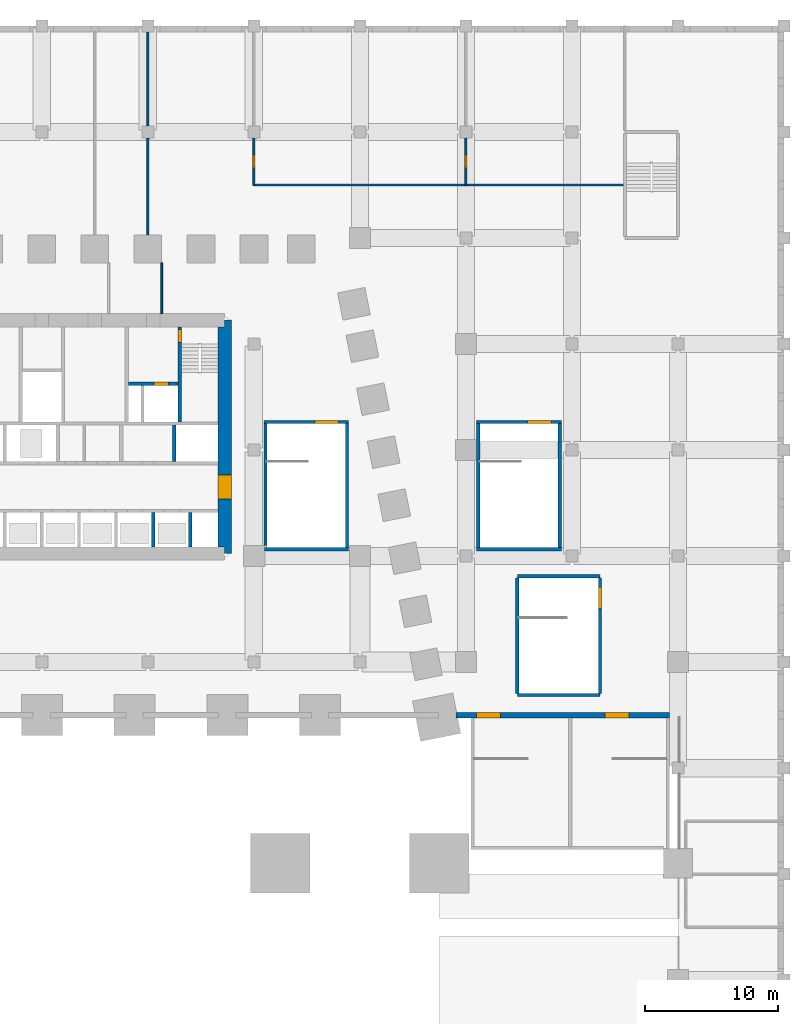
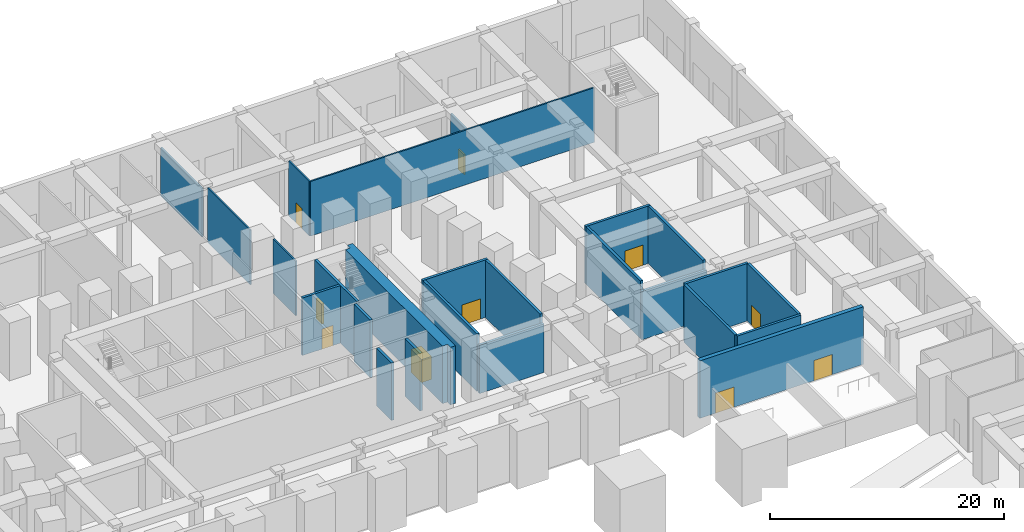
# One storey, part 14 of 28: 25 walls, 10 doors, 10 openings.
"""IFC4 building model written with IfcOpenShell, lengths in metres."""

from ifc_helpers import new_model, si_unit, direction, frame, frame_2d, origin, place, context, subcontext, project, spatial, polyline, rectangle, outline, extrude, material, layer, layer_set, type_object, element, fill, save


model = new_model("IFC4")

# Units and contexts
model_context = context("Model", 3, precision=1e-05, world=origin(), true_north=direction((0.0, 1.0)))
body_context = subcontext(model_context, "Body", "Model", "MODEL_VIEW")
ifc_project = project(units=[si_unit("LENGTHUNIT", "METRE"), si_unit("AREAUNIT", "SQUARE_METRE"), si_unit("VOLUMEUNIT", "CUBIC_METRE"), si_unit("PLANEANGLEUNIT", "RADIAN"), si_unit("MASSUNIT", "GRAM", prefix="KILO")], contexts=[model_context])

# Site, building, storey
site_placement = place(None, origin())
site = spatial("IfcSite", under=ifc_project, at=site_placement, CompositionType="ELEMENT")
building_placement = place(site_placement, origin())
building = spatial("IfcBuilding", under=site, at=building_placement, Name="Isbrekke Arena Tower", CompositionType="ELEMENT")
storey_placement = place(building_placement, origin())
storey = spatial("IfcBuildingStorey", under=building, at=storey_placement, Name="L00", CompositionType="ELEMENT", Elevation=0.0)

# Wall, openings, doors
ifc_material_1 = material(Name="Concrete B45 (C45/55)", Category="concrete")
ifc_layer_1 = layer(ifc_material_1, 0.39990234375)
ifc_layer_set_1 = layer_set([ifc_layer_1], Name="AW1 ARENA WALL 400")
wall_type_1 = type_object("IfcWallType", Name="AW1 ARENA WALL 400", PredefinedType="SHEAR", material=ifc_layer_set_1)
wall_1_placement = place(storey_placement, frame((31.25, -6.0, 0.0), z_axis=(0.0, 0.0, 1.0), x_axis=(1.0, 0.0, 0.0)))
wall_1 = element("IfcWall", 1, at=wall_1_placement, inside=storey, type_object=wall_type_1, Name="Arena north wall 10", PredefinedType="SHEAR", context=body_context, shape_type="SweptSolid", body=[
    extrude(rectangle(XDim=16.125, YDim=0.39990234375, at=frame_2d((8.0625, 0.0))), origin(), (0.0, 0.0, 1.0), 6.0),
])
opening_1_placement = place(wall_1_placement, frame((1.550048828125, 0.0, 0.0)))
opening_1 = element("IfcOpeningElement", 2, at=opening_1_placement, cuts=wall_1, Name="Opening D9", PredefinedType="OPENING", context=body_context, shape_type="SweptSolid", body=[
    extrude(rectangle(XDim=1.800048828125, YDim=2.10009765625, at=frame_2d((0.89990234375, 1.050048828125))), frame((0.0, 0.21484375, 0.0), z_axis=(0.0, -1.0, 0.0), x_axis=(1.0, 0.0, 0.0)), (0.0, 0.0, 1.0), 0.4296875),
])
opening_2_placement = place(wall_1_placement, frame((11.25, 0.0, 0.0)))
opening_2 = element("IfcOpeningElement", 3, at=opening_2_placement, cuts=wall_1, Name="Opening D9", PredefinedType="OPENING", context=body_context, shape_type="SweptSolid", body=[
    extrude(rectangle(XDim=1.800048828125, YDim=2.10009765625, at=frame_2d((0.89990234375, 1.050048828125))), frame((0.0, 0.21484375, 0.0), z_axis=(0.0, -1.0, 0.0), x_axis=(1.0, 0.0, 0.0)), (0.0, 0.0, 1.0), 0.4296875),
])
ifc_material_2 = material(Name="Steel fire door", Category="steel")
door_type_1 = type_object("IfcDoorType", Name="D9 EXIT STAIR DOOR 1800 x 2100", OperationType="DOUBLE_DOOR_SINGLE_SWING", PredefinedType="DOOR", material=ifc_material_2)
door_1_placement = place(opening_1_placement, origin())
door_1 = element("IfcDoor", 4, at=door_1_placement, inside=storey, type_object=door_type_1, Name="D9 exit stair door X1 L00", OperationType="DOUBLE_DOOR_SINGLE_SWING", OverallHeight=2.10009765625, OverallWidth=1.800048828125, PredefinedType="DOOR", context=body_context, shape_type="SweptSolid", body=[
    extrude(rectangle(XDim=1.800048828125, YDim=2.10009765625, at=frame_2d((0.89990234375, 1.050048828125))), frame((0.0, 0.19970703125, 0.0), z_axis=(0.0, -1.0, 0.0), x_axis=(1.0, 0.0, 0.0)), (0.0, 0.0, 1.0), 0.3994140625),
])
fill(opening_1, door_1)
door_2_placement = place(opening_2_placement, origin())
door_2 = element("IfcDoor", 5, at=door_2_placement, inside=storey, type_object=door_type_1, Name="D9 exit stair door X2 L00", OperationType="DOUBLE_DOOR_SINGLE_SWING", OverallHeight=2.10009765625, OverallWidth=1.800048828125, PredefinedType="DOOR", context=body_context, shape_type="SweptSolid", body=[
    extrude(rectangle(XDim=1.800048828125, YDim=2.10009765625, at=frame_2d((0.89990234375, 1.050048828125))), frame((0.0, 0.19970703125, 0.0), z_axis=(0.0, -1.0, 0.0), x_axis=(1.0, 0.0, 0.0)), (0.0, 0.0, 1.0), 0.3994140625),
])
fill(opening_2, door_2)

# Wall, opening, door
ifc_material_3 = material(Name="Concrete B65 (C65/80)", Category="concrete")
ifc_layer_2 = layer(ifc_material_3, 1.0)
ifc_layer_set_2 = layer_set([ifc_layer_2], Name="CW1 CORE WALL 1000")
wall_type_2 = type_object("IfcWallType", Name="CW1 CORE WALL 1000", PredefinedType="SHEAR", material=ifc_layer_set_2)
wall_2_placement = place(storey_placement, frame((13.800048828125, 6.199951171875, 0.0), z_axis=(0.0, 0.0, 1.0), x_axis=(0.0, 1.0, 0.0)))
wall_2 = element("IfcWall", 6, at=wall_2_placement, inside=storey, type_object=wall_type_2, Name="Core wall E L00", PredefinedType="SHEAR", context=body_context, shape_type="SweptSolid", body=[
    extrude(outline(polyline([(0.0, -0.5), (17.60009765625, -0.5), (17.60009765625, 0.0), (17.10009765625, 0.0), (17.10009765625, 0.5), (0.5, 0.5), (0.5, 0.0), (0.0, 0.0), (0.0, -0.5)])), origin(), (0.0, 0.0, 1.0), 6.0),
])
opening_3_placement = place(wall_2_placement, frame((4.10009765625, 0.0, 0.0)))
opening_3 = element("IfcOpeningElement", 7, at=opening_3_placement, cuts=wall_2, Name="Opening D1", PredefinedType="OPENING", context=body_context, shape_type="SweptSolid", body=[
    extrude(rectangle(XDim=1.800048828125, YDim=2.39990234375, at=frame_2d((0.89990234375, 1.199951171875))), frame((0.0, 0.514892578125, 0.0), z_axis=(0.0, -1.0, 0.0), x_axis=(1.0, 0.0, 0.0)), (0.0, 0.0, 1.0), 1.02978515625),
])
ifc_material_4 = material(Name="Steel-framed glazed fire door", Category="steel")
door_type_2 = type_object("IfcDoorType", Name="D1 CORE LOBBY DOOR 1800 x 2400", OperationType="DOUBLE_DOOR_SINGLE_SWING", PredefinedType="DOOR", material=ifc_material_4)
door_3_placement = place(opening_3_placement, origin())
door_3 = element("IfcDoor", 8, at=door_3_placement, inside=storey, type_object=door_type_2, Name="D1 lift lobby door east L00", OperationType="DOUBLE_DOOR_SINGLE_SWING", OverallHeight=2.39990234375, OverallWidth=1.800048828125, PredefinedType="DOOR", context=body_context, shape_type="SweptSolid", body=[
    extrude(rectangle(XDim=1.800048828125, YDim=2.39990234375, at=frame_2d((0.89990234375, 1.199951171875))), frame((0.0, 0.499755859375, 0.0), z_axis=(0.0, -1.0, 0.0), x_axis=(1.0, 0.0, 0.0)), (0.0, 0.0, 1.0), 0.99951171875),
])
fill(opening_3, door_3)

# Walls
ifc_material_5 = material(Name="Concrete B45 (C45/55)", Category="concrete")
ifc_layer_3 = layer(ifc_material_5, 0.25)
ifc_layer_set_3 = layer_set([ifc_layer_3], Name="CW6 SHAFT WALL 250")
wall_type_3 = type_object("IfcWallType", Name="CW6 SHAFT WALL 250", PredefinedType="SHEAR", material=ifc_layer_set_3)
for number, where, z_axis, x_axis, name in (
    (9, (8.39990234375, 6.699951171875, 0.0), (0.0, 0.0, 1.0), (0.0, 1.0, 0.0), "Core wall SS08 L00"),
    (10, (11.199951171875, 6.699951171875, 0.0), (0.0, 0.0, 1.0), (0.0, 1.0, 0.0), "Core wall SS09 L00"),
):
    element("IfcWall", number, at=place(storey_placement, frame(where, z_axis=z_axis, x_axis=x_axis)), inside=storey, type_object=wall_type_3, Name=name, PredefinedType="SHEAR", context=body_context, shape_type="SweptSolid", body=[
        extrude(rectangle(XDim=2.574951171875, YDim=0.25, at=frame_2d((1.28759765625, 0.0))), origin(), (0.0, 0.0, 1.0), 6.0),
    ])
wall_3_placement = place(storey_placement, frame((10.0, 13.125, 0.0), z_axis=(0.0, 0.0, 1.0), x_axis=(0.0, 1.0, 0.0)))
element("IfcWall", 11, at=wall_3_placement, inside=storey, type_object=wall_type_3, Name="Core wall SN07 L00", PredefinedType="SHEAR", context=body_context, shape_type="SweptSolid", body=[
    extrude(rectangle(XDim=2.75, YDim=0.25, at=frame_2d((1.375, 0.0))), origin(), (0.0, 0.0, 1.0), 6.0),
])

# Wall, opening, door
wall_4_placement = place(storey_placement, frame((10.39990234375, 16.125, 0.0), z_axis=(0.0, 0.0, 1.0), x_axis=(0.0, 1.0, 0.0)))
wall_4 = element("IfcWall", 12, at=wall_4_placement, inside=storey, type_object=wall_type_3, Name="Core wall NV06 L00", PredefinedType="SHEAR", context=body_context, shape_type="SweptSolid", body=[
    extrude(rectangle(XDim=7.175048828125, YDim=0.25, at=frame_2d((3.58740234375, 0.0))), origin(), (0.0, 0.0, 1.0), 6.0),
])
opening_4_placement = place(wall_4_placement, frame((5.97509765625, 0.0, 0.0)))
opening_4 = element("IfcOpeningElement", 13, at=opening_4_placement, cuts=wall_4, Name="Opening D2", PredefinedType="OPENING", context=body_context, shape_type="SweptSolid", body=[
    extrude(rectangle(XDim=1.0, YDim=2.10009765625, at=frame_2d((0.5, 1.050048828125))), frame((0.0, 0.139892578125, 0.0), z_axis=(0.0, -1.0, 0.0), x_axis=(1.0, 0.0, 0.0)), (0.0, 0.0, 1.0), 0.27978515625),
])
ifc_material_6 = material(Name="Steel fire door", Category="steel")
door_type_3 = type_object("IfcDoorType", Name="D2 STAIR DOOR 1000 x 2100", OperationType="SINGLE_SWING_LEFT", PredefinedType="DOOR", material=ifc_material_6)
door_4_placement = place(opening_4_placement, origin())
door_4 = element("IfcDoor", 14, at=door_4_placement, inside=storey, type_object=door_type_3, Name="D2 stair door ST2 L00", OperationType="SINGLE_SWING_LEFT", OverallHeight=2.10009765625, OverallWidth=1.0, PredefinedType="DOOR", context=body_context, shape_type="SweptSolid", body=[
    extrude(rectangle(XDim=1.0, YDim=2.10009765625, at=frame_2d((0.5, 1.050048828125))), frame((0.0, 0.124755859375, 0.0), z_axis=(0.0, -1.0, 0.0), x_axis=(1.0, 0.0, 0.0)), (0.0, 0.0, 1.0), 0.24951171875),
])
fill(opening_4, door_4)

wall_5_placement = place(storey_placement, frame((6.52490234375, 19.0, 0.0), z_axis=(0.0, 0.0, 1.0), x_axis=(1.0, 0.0, 0.0)))
wall_5 = element("IfcWall", 15, at=wall_5_placement, inside=storey, type_object=wall_type_3, Name="Core wall NFE L00", PredefinedType="SHEAR", context=body_context, shape_type="SweptSolid", body=[
    extrude(rectangle(XDim=3.75, YDim=0.25, at=frame_2d((1.875, 0.0))), origin(), (0.0, 0.0, 1.0), 6.0),
])
opening_5_placement = place(wall_5_placement, frame((1.925048828125, 0.0, 0.0)))
opening_5 = element("IfcOpeningElement", 16, at=opening_5_placement, cuts=wall_5, Name="Opening LD2", PredefinedType="OPENING", context=body_context, shape_type="SweptSolid", body=[
    extrude(rectangle(XDim=1.10009765625, YDim=2.10009765625, at=frame_2d((0.550048828125, 1.050048828125))), frame((0.0, 0.139892578125, 0.0), z_axis=(0.0, -1.0, 0.0), x_axis=(1.0, 0.0, 0.0)), (0.0, 0.0, 1.0), 0.27978515625),
])
ifc_material_7 = material(Name="Stainless steel lift landing door", Category="steel")
door_type_4 = type_object("IfcDoorType", Name="LD2 FIRE-FIGHTING LIFT LANDING DOOR 1100 x 2100", OperationType="SLIDING_TO_RIGHT", PredefinedType="DOOR", material=ifc_material_7)
door_5_placement = place(opening_5_placement, origin())
door_5 = element("IfcDoor", 17, at=door_5_placement, inside=storey, type_object=door_type_4, Name="LD2 lift landing door LF L00", OperationType="SLIDING_TO_RIGHT", OverallHeight=2.10009765625, OverallWidth=1.10009765625, PredefinedType="DOOR", context=body_context, shape_type="SweptSolid", body=[
    extrude(rectangle(XDim=1.10009765625, YDim=2.10009765625, at=frame_2d((0.550048828125, 1.050048828125))), frame((0.0, 0.124755859375, 0.0), z_axis=(0.0, -1.0, 0.0), x_axis=(1.0, 0.0, 0.0)), (0.0, 0.0, 1.0), 0.24951171875),
])
fill(opening_5, door_5)

ifc_material_8 = material(Name="Gypsum board partition on steel studs", Category="steel")
ifc_layer_4 = layer(ifc_material_8, 0.14990234375)
ifc_layer_set_4 = layer_set([ifc_layer_4], Name="IW1 PARTITION 150")
wall_type_4 = type_object("IfcWallType", Name="IW1 PARTITION 150", PredefinedType="PARTITIONING", material=ifc_layer_set_4)
wall_6_placement = place(storey_placement, frame((16.0, 34.0, 0.0), z_axis=(0.0, 0.0, 1.0), x_axis=(0.0, 1.0, 0.0)))
wall_6 = element("IfcWall", 18, at=wall_6_placement, inside=storey, type_object=wall_type_4, Name="IW1 partition L00", PredefinedType="PARTITIONING", context=body_context, shape_type="SweptSolid", body=[
    extrude(rectangle(XDim=3.5400390625, YDim=0.14990234375, at=frame_2d((1.77001953125, 0.0))), origin(), (0.0, 0.0, 1.0), 5.699951171875),
])
opening_6_placement = place(wall_6_placement, frame((1.27001953125, 0.0, 0.0)))
opening_6 = element("IfcOpeningElement", 19, at=opening_6_placement, cuts=wall_6, Name="Opening D6", PredefinedType="OPENING", context=body_context, shape_type="SweptSolid", body=[
    extrude(rectangle(XDim=1.0, YDim=2.10009765625, at=frame_2d((0.5, 1.050048828125))), frame((0.0, 0.08984375, 0.0), z_axis=(0.0, -1.0, 0.0), x_axis=(1.0, 0.0, 0.0)), (0.0, 0.0, 1.0), 0.1796875),
])
ifc_material_9 = material(Name="Timber door", Category="wood")
door_type_5 = type_object("IfcDoorType", Name="D6 ROOM DOOR 1000 x 2100", OperationType="SINGLE_SWING_LEFT", PredefinedType="DOOR", material=ifc_material_9)
door_6_placement = place(opening_6_placement, origin())
door_6 = element("IfcDoor", 20, at=door_6_placement, inside=storey, type_object=door_type_5, Name="D6 door L00-08", OperationType="SINGLE_SWING_LEFT", OverallHeight=2.10009765625, OverallWidth=1.0, PredefinedType="DOOR", context=body_context, shape_type="SweptSolid", body=[
    extrude(rectangle(XDim=1.0, YDim=2.10009765625, at=frame_2d((0.5, 1.050048828125))), frame((0.0, 0.07470703125, 0.0), z_axis=(0.0, -1.0, 0.0), x_axis=(1.0, 0.0, 0.0)), (0.0, 0.0, 1.0), 0.1494140625),
])
fill(opening_6, door_6)

wall_7_placement = place(storey_placement, frame((32.0, 34.0, 0.0), z_axis=(0.0, 0.0, 1.0), x_axis=(0.0, 1.0, 0.0)))
wall_7 = element("IfcWall", 21, at=wall_7_placement, inside=storey, type_object=wall_type_4, Name="IW1 partition L00", PredefinedType="PARTITIONING", context=body_context, shape_type="SweptSolid", body=[
    extrude(rectangle(XDim=3.5400390625, YDim=0.14990234375, at=frame_2d((1.77001953125, 0.0))), origin(), (0.0, 0.0, 1.0), 5.050048828125),
])
opening_7_placement = place(wall_7_placement, frame((1.27001953125, 0.0, 0.0)))
opening_7 = element("IfcOpeningElement", 22, at=opening_7_placement, cuts=wall_7, Name="Opening D6", PredefinedType="OPENING", context=body_context, shape_type="SweptSolid", body=[
    extrude(rectangle(XDim=1.0, YDim=2.10009765625, at=frame_2d((0.5, 1.050048828125))), frame((0.0, 0.08984375, 0.0), z_axis=(0.0, -1.0, 0.0), x_axis=(1.0, 0.0, 0.0)), (0.0, 0.0, 1.0), 0.1796875),
])
door_7_placement = place(opening_7_placement, origin())
door_7 = element("IfcDoor", 23, at=door_7_placement, inside=storey, type_object=door_type_5, Name="D6 door L00-09", OperationType="SINGLE_SWING_LEFT", OverallHeight=2.10009765625, OverallWidth=1.0, PredefinedType="DOOR", context=body_context, shape_type="SweptSolid", body=[
    extrude(rectangle(XDim=1.0, YDim=2.10009765625, at=frame_2d((0.5, 1.050048828125))), frame((0.0, 0.07470703125, 0.0), z_axis=(0.0, -1.0, 0.0), x_axis=(1.0, 0.0, 0.0)), (0.0, 0.0, 1.0), 0.1494140625),
])
fill(opening_7, door_7)

# Walls
wall_8_placement = place(storey_placement, frame((16.0, 34.0, 0.0), z_axis=(0.0, 0.0, 1.0), x_axis=(1.0, 0.0, 0.0)))
element("IfcWall", 24, at=wall_8_placement, inside=storey, type_object=wall_type_4, Name="IW1 partition L00", PredefinedType="PARTITIONING", context=body_context, shape_type="SweptSolid", body=[
    extrude(rectangle(XDim=28.0, YDim=0.14990234375, at=frame_2d((14.0, 0.0))), origin(), (0.0, 0.0, 1.0), 5.699951171875),
])
ifc_material_10 = material(Name="Gypsum board fire-rated partition on steel studs, two layers each side", Category="steel")
ifc_layer_5 = layer(ifc_material_10, 0.14990234375)
ifc_layer_set_5 = layer_set([ifc_layer_5], Name="IW5 FIRE-RATED PARTITION 150")
wall_type_5 = type_object("IfcWallType", Name="IW5 FIRE-RATED PARTITION 150", PredefinedType="PARTITIONING", material=ifc_layer_set_5)
wall_9_placement = place(storey_placement, frame((9.050048828125, 24.300048828125, 0.0), z_axis=(0.0, 0.0, 1.0), x_axis=(0.0, 1.0, 0.0)))
element("IfcWall", 25, at=wall_9_placement, inside=storey, type_object=wall_type_5, Name="IW5 fire-rated partition L00 exit passage ST2", PredefinedType="PARTITIONING", context=body_context, shape_type="SweptSolid", body=[
    extrude(rectangle(XDim=3.81494140625, YDim=0.14990234375, at=frame_2d((1.907470703125, 0.0))), origin(), (0.0, 0.0, 1.0), 5.699951171875),
])
wall_10_placement = place(storey_placement, frame((8.0, 30.235107421875, 0.0), z_axis=(0.0, 0.0, 1.0), x_axis=(0.0, 1.0, 0.0)))
element("IfcWall", 26, at=wall_10_placement, inside=storey, type_object=wall_type_5, Name="IW5 fire-rated partition L00 exit passage ST2", PredefinedType="PARTITIONING", context=body_context, shape_type="SweptSolid", body=[
    extrude(rectangle(XDim=7.304931640625, YDim=0.14990234375, at=frame_2d((3.65234375, 0.0))), origin(), (0.0, 0.0, 1.0), 5.699951171875),
])
wall_11_placement = place(storey_placement, frame((8.0, 38.4599609375, 0.0), z_axis=(0.0, 0.0, 1.0), x_axis=(0.0, 1.0, 0.0)))
element("IfcWall", 27, at=wall_11_placement, inside=storey, type_object=wall_type_5, Name="IW5 fire-rated partition L00 exit passage ST2", PredefinedType="PARTITIONING", context=body_context, shape_type="SweptSolid", body=[
    extrude(rectangle(XDim=7.080078125, YDim=0.14990234375, at=frame_2d((3.5400390625, 0.0))), origin(), (0.0, 0.0, 1.0), 5.050048828125),
])
ifc_material_11 = material(Name="Concrete B45 (C45/55)", Category="concrete")
ifc_layer_6 = layer(ifc_material_11, 0.25)
ifc_layer_set_6 = layer_set([ifc_layer_6], Name="SW1 STAIR ENCLOSURE WALL 250")
wall_type_6 = type_object("IfcWallType", Name="SW1 STAIR ENCLOSURE WALL 250", PredefinedType="SOLIDWALL", material=ifc_layer_set_6)
for number, where, z_axis, x_axis, name in (
    (28, (35.875, -4.47509765625, 0.0), (0.0, 0.0, 1.0), (1.0, 0.0, 0.0), "SW1 stair wall V1 S L00"),
    (29, (42.125, 4.47509765625, 0.0), (0.0, 0.0, 1.0), (-1.0, 0.0, 0.0), "SW1 stair wall V1 N L00"),
):
    element("IfcWall", number, at=place(storey_placement, frame(where, z_axis=z_axis, x_axis=x_axis)), inside=storey, type_object=wall_type_6, Name=name, PredefinedType="SOLIDWALL", context=body_context, shape_type="SweptSolid", body=[
        extrude(rectangle(XDim=6.25, YDim=0.25, at=frame_2d((3.125, 0.0))), origin(), (0.0, 0.0, 1.0), 6.0),
    ])

# Wall, opening, door
wall_12_placement = place(storey_placement, frame((42.125, -4.35009765625, 0.0), z_axis=(0.0, 0.0, 1.0), x_axis=(0.0, 1.0, 0.0)))
wall_12 = element("IfcWall", 30, at=wall_12_placement, inside=storey, type_object=wall_type_6, Name="SW1 stair wall V1 E L00", PredefinedType="SOLIDWALL", context=body_context, shape_type="SweptSolid", body=[
    extrude(rectangle(XDim=8.7001953125, YDim=0.25, at=frame_2d((4.35009765625, 0.0))), origin(), (0.0, 0.0, 1.0), 6.0),
])
opening_8_placement = place(wall_12_placement, frame((6.39990234375, 0.0, 0.0)))
opening_8 = element("IfcOpeningElement", 31, at=opening_8_placement, cuts=wall_12, Name="Opening D7", PredefinedType="OPENING", context=body_context, shape_type="SweptSolid", body=[
    extrude(rectangle(XDim=1.60009765625, YDim=2.10009765625, at=frame_2d((0.800048828125, 1.050048828125))), frame((0.0, 0.139892578125, 0.0), z_axis=(0.0, -1.0, 0.0), x_axis=(1.0, 0.0, 0.0)), (0.0, 0.0, 1.0), 0.27978515625),
])
ifc_material_12 = material(Name="Steel fire door", Category="steel")
door_type_6 = type_object("IfcDoorType", Name="D7 PODIUM STAIR DOOR 1600 x 2100", OperationType="DOUBLE_DOOR_SINGLE_SWING", PredefinedType="DOOR", material=ifc_material_12)
door_8_placement = place(opening_8_placement, origin())
door_8 = element("IfcDoor", 32, at=door_8_placement, inside=storey, type_object=door_type_6, Name="D7 stair door V1 L00", OperationType="DOUBLE_DOOR_SINGLE_SWING", OverallHeight=2.10009765625, OverallWidth=1.60009765625, PredefinedType="DOOR", context=body_context, shape_type="SweptSolid", body=[
    extrude(rectangle(XDim=1.60009765625, YDim=2.10009765625, at=frame_2d((0.800048828125, 1.050048828125))), frame((0.0, 0.124755859375, 0.0), z_axis=(0.0, -1.0, 0.0), x_axis=(1.0, 0.0, 0.0)), (0.0, 0.0, 1.0), 0.24951171875),
])
fill(opening_8, door_8)

# Walls
wall_13_placement = place(storey_placement, frame((35.875, 4.35009765625, 0.0), z_axis=(0.0, 0.0, 1.0), x_axis=(0.0, -1.0, 0.0)))
element("IfcWall", 33, at=wall_13_placement, inside=storey, type_object=wall_type_6, Name="SW1 stair wall V1 W L00", PredefinedType="SOLIDWALL", context=body_context, shape_type="SweptSolid", body=[
    extrude(rectangle(XDim=8.7001953125, YDim=0.25, at=frame_2d((4.35009765625, 0.0))), origin(), (0.0, 0.0, 1.0), 6.0),
])
ifc_material_13 = material(Name="Concrete B45 (C45/55)", Category="concrete")
ifc_layer_7 = layer(ifc_material_13, 0.25)
ifc_layer_set_7 = layer_set([ifc_layer_7], Name="SW3 STAIR ENCLOSURE WALL NON-LOAD-BEARING 250")
wall_type_7 = type_object("IfcWallType", Name="SW3 STAIR ENCLOSURE WALL NON-LOAD-BEARING 250", PredefinedType="SOLIDWALL", material=ifc_layer_set_7)
wall_14_placement = place(storey_placement, frame((16.800048828125, 6.52490234375, 0.0), z_axis=(0.0, 0.0, 1.0), x_axis=(1.0, 0.0, 0.0)))
element("IfcWall", 34, at=wall_14_placement, inside=storey, type_object=wall_type_7, Name="SW3 stair enclosure wall X5 S L00", PredefinedType="SOLIDWALL", context=body_context, shape_type="SweptSolid", body=[
    extrude(rectangle(XDim=6.349853515625, YDim=0.25, at=frame_2d((3.1748046875, 0.0))), origin(), (0.0, 0.0, 1.0), 5.050048828125),
])

# Wall, opening, door
wall_15_placement = place(storey_placement, frame((23.14990234375, 16.114990234375, 0.0), z_axis=(0.0, 0.0, 1.0), x_axis=(-1.0, 0.0, 0.0)))
wall_15 = element("IfcWall", 35, at=wall_15_placement, inside=storey, type_object=wall_type_7, Name="SW3 stair enclosure wall X5 N L00", PredefinedType="SOLIDWALL", context=body_context, shape_type="SweptSolid", body=[
    extrude(rectangle(XDim=6.39990234375, YDim=0.25, at=frame_2d((3.199951171875, 0.0))), origin(), (0.0, 0.0, 1.0), 6.0),
])
opening_9_placement = place(wall_15_placement, frame((0.75, 0.0, 0.0)))
opening_9 = element("IfcOpeningElement", 36, at=opening_9_placement, cuts=wall_15, Name="Opening D9", PredefinedType="OPENING", context=body_context, shape_type="SweptSolid", body=[
    extrude(rectangle(XDim=1.800048828125, YDim=2.10009765625, at=frame_2d((0.89990234375, 1.050048828125))), frame((0.0, 0.139892578125, 0.0), z_axis=(0.0, -1.0, 0.0), x_axis=(1.0, 0.0, 0.0)), (0.0, 0.0, 1.0), 0.27978515625),
])
door_9_placement = place(opening_9_placement, origin())
door_9 = element("IfcDoor", 37, at=door_9_placement, inside=storey, type_object=door_type_1, Name="D9 exit stair door X5 L00", OperationType="DOUBLE_DOOR_SINGLE_SWING", OverallHeight=2.10009765625, OverallWidth=1.800048828125, PredefinedType="DOOR", context=body_context, shape_type="SweptSolid", body=[
    extrude(rectangle(XDim=1.800048828125, YDim=2.10009765625, at=frame_2d((0.89990234375, 1.050048828125))), frame((0.0, 0.124755859375, 0.0), z_axis=(0.0, -1.0, 0.0), x_axis=(1.0, 0.0, 0.0)), (0.0, 0.0, 1.0), 0.24951171875),
])
fill(opening_9, door_9)

# Walls
wall_16_placement = place(storey_placement, frame((16.875, 15.989990234375, 0.0), z_axis=(0.0, 0.0, 1.0), x_axis=(0.0, -1.0, 0.0)))
element("IfcWall", 38, at=wall_16_placement, inside=storey, type_object=wall_type_7, Name="SW3 stair enclosure wall X5 W L00", PredefinedType="SOLIDWALL", context=body_context, shape_type="SweptSolid", body=[
    extrude(rectangle(XDim=9.18994140625, YDim=0.25, at=frame_2d((4.594970703125, 0.0))), origin(), (0.0, 0.0, 1.0), 6.0),
])
wall_17_placement = place(storey_placement, frame((23.02490234375, 6.64990234375, 0.0), z_axis=(0.0, 0.0, 1.0), x_axis=(0.0, 1.0, 0.0)))
element("IfcWall", 39, at=wall_17_placement, inside=storey, type_object=wall_type_7, Name="SW3 stair enclosure wall X5 E L00", PredefinedType="SOLIDWALL", context=body_context, shape_type="SweptSolid", body=[
    extrude(rectangle(XDim=9.340087890625, YDim=0.25, at=frame_2d((4.669921875, 0.0))), origin(), (0.0, 0.0, 1.0), 6.0),
])
wall_18_placement = place(storey_placement, frame((32.800048828125, 6.52490234375, 0.0), z_axis=(0.0, 0.0, 1.0), x_axis=(1.0, 0.0, 0.0)))
element("IfcWall", 40, at=wall_18_placement, inside=storey, type_object=wall_type_7, Name="SW3 stair enclosure wall X7 S L00", PredefinedType="SOLIDWALL", context=body_context, shape_type="SweptSolid", body=[
    extrude(rectangle(XDim=6.39990234375, YDim=0.25, at=frame_2d((3.199951171875, 0.0))), origin(), (0.0, 0.0, 1.0), 5.050048828125),
])

# Wall, opening, door
wall_19_placement = place(storey_placement, frame((39.199951171875, 16.114990234375, 0.0), z_axis=(0.0, 0.0, 1.0), x_axis=(-1.0, 0.0, 0.0)))
wall_19 = element("IfcWall", 41, at=wall_19_placement, inside=storey, type_object=wall_type_7, Name="SW3 stair enclosure wall X7 N L00", PredefinedType="SOLIDWALL", context=body_context, shape_type="SweptSolid", body=[
    extrude(rectangle(XDim=6.39990234375, YDim=0.25, at=frame_2d((3.199951171875, 0.0))), origin(), (0.0, 0.0, 1.0), 6.0),
])
opening_10_placement = place(wall_19_placement, frame((0.75, 0.0, 0.0)))
opening_10 = element("IfcOpeningElement", 42, at=opening_10_placement, cuts=wall_19, Name="Opening D9", PredefinedType="OPENING", context=body_context, shape_type="SweptSolid", body=[
    extrude(rectangle(XDim=1.800048828125, YDim=2.10009765625, at=frame_2d((0.89990234375, 1.050048828125))), frame((0.0, 0.139892578125, 0.0), z_axis=(0.0, -1.0, 0.0), x_axis=(1.0, 0.0, 0.0)), (0.0, 0.0, 1.0), 0.27978515625),
])
door_10_placement = place(opening_10_placement, origin())
door_10 = element("IfcDoor", 43, at=door_10_placement, inside=storey, type_object=door_type_1, Name="D9 exit stair door X7 L00", OperationType="DOUBLE_DOOR_SINGLE_SWING", OverallHeight=2.10009765625, OverallWidth=1.800048828125, PredefinedType="DOOR", context=body_context, shape_type="SweptSolid", body=[
    extrude(rectangle(XDim=1.800048828125, YDim=2.10009765625, at=frame_2d((0.89990234375, 1.050048828125))), frame((0.0, 0.124755859375, 0.0), z_axis=(0.0, -1.0, 0.0), x_axis=(1.0, 0.0, 0.0)), (0.0, 0.0, 1.0), 0.24951171875),
])
fill(opening_10, door_10)

# Walls
for number, where, z_axis, x_axis, name in (
    (44, (32.925048828125, 15.989990234375, 0.0), (0.0, 0.0, 1.0), (0.0, -1.0, 0.0), "SW3 stair enclosure wall X7 W L00"),
    (45, (39.074951171875, 6.64990234375, 0.0), (0.0, 0.0, 1.0), (0.0, 1.0, 0.0), "SW3 stair enclosure wall X7 E L00"),
):
    element("IfcWall", number, at=place(storey_placement, frame(where, z_axis=z_axis, x_axis=x_axis)), inside=storey, type_object=wall_type_7, Name=name, PredefinedType="SOLIDWALL", context=body_context, shape_type="SweptSolid", body=[
        extrude(rectangle(XDim=9.340087890625, YDim=0.25, at=frame_2d((4.669921875, 0.0))), origin(), (0.0, 0.0, 1.0), 6.0),
    ])

save(model, "model.ifc")
